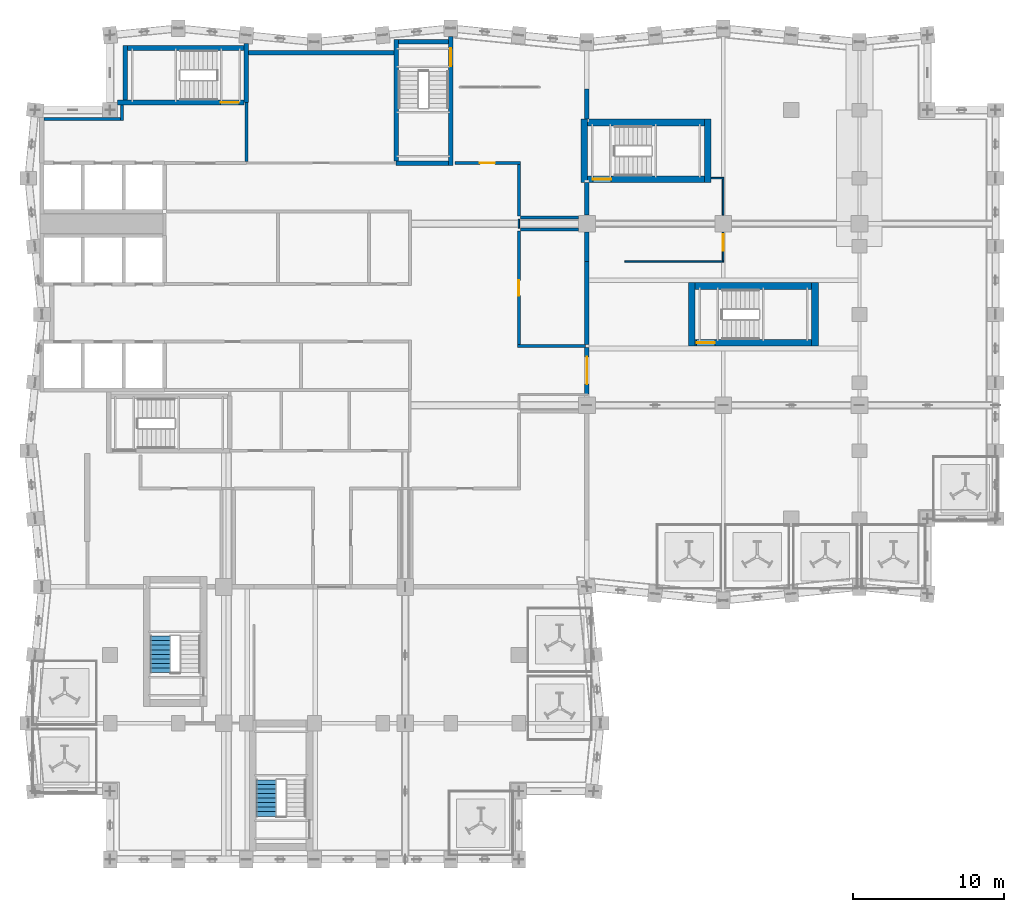
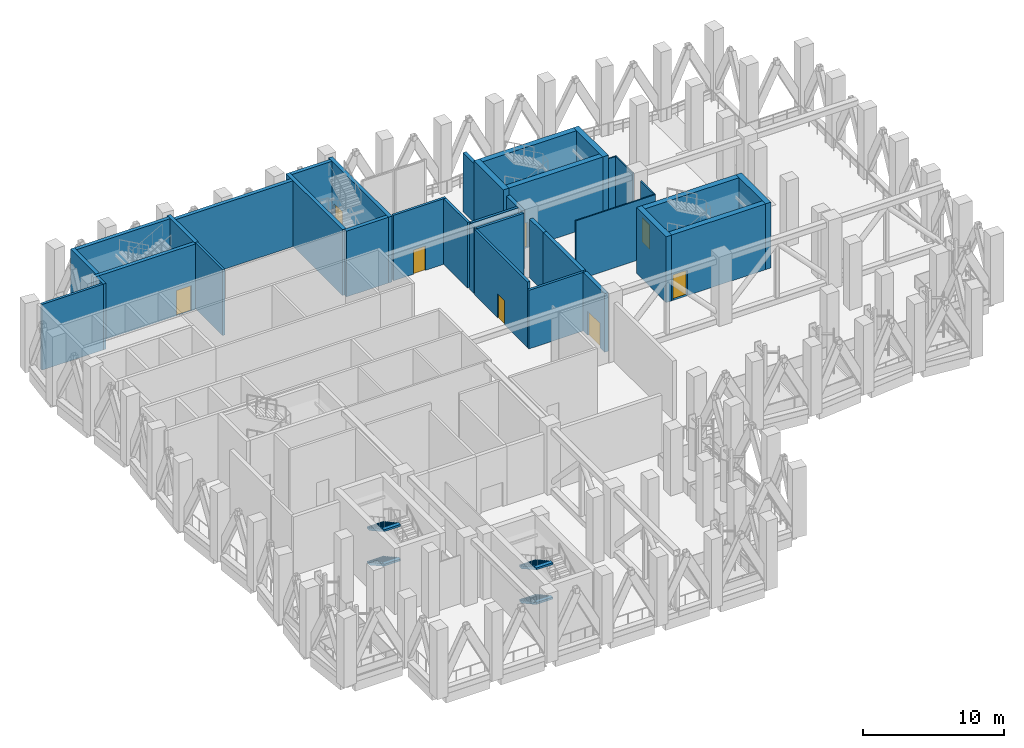
# One storey, part 17 of 28: 36 walls, 8 doors, 4 stair flights, 8 openings, 2 elements without a shape of their own.
"""IFC4 building model written with IfcOpenShell, lengths in metres."""

from ifc_helpers import new_model, si_unit, direction, frame, frame_2d, origin, place, context, subcontext, project, spatial, polyline, rectangle, outline, extrude, material, layer, layer_set, type_object, element, fill, aggregate, save


model = new_model("IFC4")

# Units and contexts
model_context = context("Model", 3, precision=1e-05, world=origin(), true_north=direction((0.0, 1.0)))
body_context = subcontext(model_context, "Body", "Model", "MODEL_VIEW")
ifc_project = project(units=[si_unit("LENGTHUNIT", "METRE"), si_unit("AREAUNIT", "SQUARE_METRE"), si_unit("VOLUMEUNIT", "CUBIC_METRE"), si_unit("PLANEANGLEUNIT", "RADIAN"), si_unit("MASSUNIT", "GRAM", prefix="KILO")], contexts=[model_context])

# Site, building, storey
site_placement = place(None, origin())
site = spatial("IfcSite", under=ifc_project, at=site_placement, CompositionType="ELEMENT")
building_placement = place(site_placement, origin())
building = spatial("IfcBuilding", under=site, at=building_placement, Name="Brondeck Convention Tower", CompositionType="ELEMENT")
storey_placement = place(building_placement, frame((0.0, 0.0, 192.800048828125)))
storey = spatial("IfcBuildingStorey", under=building, at=storey_placement, Name="L47", CompositionType="ELEMENT", Elevation=192.800048828125)

# Wall, opening, door
ifc_material_1 = material(Name="Concrete compartment wall C30/37", Category="concrete")
ifc_layer_1 = layer(ifc_material_1, 0.300048828125)
ifc_layer_set_1 = layer_set([ifc_layer_1], Name="Compartment wall 300")
wall_type_1 = type_object("IfcWallType", Name="Compartment wall 300", PredefinedType="PARTITIONING", material=ifc_layer_set_1)
wall_1_placement = place(storey_placement, frame((36.0, 42.800048828125, 0.0), z_axis=(0.0, 0.0, 1.0), x_axis=(0.0, -1.0, 0.0)))
wall_1 = element("IfcWall", 1, at=wall_1_placement, inside=storey, type_object=wall_type_1, Name="FLR-L47-W033", PredefinedType="PARTITIONING", context=body_context, shape_type="SweptSolid", body=[
    extrude(rectangle(XDim=3.050048828125, YDim=0.300048828125, at=frame_2d((1.52490234375, 0.0))), origin(), (0.0, 0.0, 1.0), 5.079833984375),
])
opening_1_placement = place(wall_1_placement, frame((0.60009765625, 0.0, 0.0)))
opening_1 = element("IfcOpeningElement", 2, at=opening_1_placement, cuts=wall_1, Name="Opening BD-3-008", PredefinedType="OPENING", context=body_context, shape_type="SweptSolid", body=[
    extrude(rectangle(XDim=1.800048828125, YDim=2.10009765625, at=frame_2d((0.89990234375, 1.050048828125))), frame((0.0, 0.159912109375, 0.0), z_axis=(0.0, -1.0, 0.0), x_axis=(1.0, 0.0, 0.0)), (0.0, 0.0, 1.0), 0.320068359375),
])
ifc_material_2 = material(Name="Steel fire door pair", Category="steel")
door_type_1 = type_object("IfcDoorType", Name="Fire door pair 1800", OperationType="DOUBLE_DOOR_SINGLE_SWING", PredefinedType="DOOR", material=ifc_material_2)
door_1_placement = place(opening_1_placement, origin())
door_1 = element("IfcDoor", 3, at=door_1_placement, inside=storey, type_object=door_type_1, Name="Door BD-3-008", OperationType="DOUBLE_DOOR_SINGLE_SWING", OverallHeight=2.10009765625, OverallWidth=1.800048828125, PredefinedType="DOOR", context=body_context, shape_type="SweptSolid", body=[
    extrude(rectangle(XDim=1.800048828125, YDim=2.10009765625, at=frame_2d((0.89990234375, 1.050048828125))), frame((0.0, 0.02490234375, 0.0), z_axis=(0.0, -1.0, 0.0), x_axis=(1.0, 0.0, 0.0)), (0.0, 0.0, 1.0), 0.050048828125),
])
fill(opening_1, door_1)

# Walls
wall_2_placement = place(storey_placement, frame((36.0, 48.5, 0.0), z_axis=(0.0, 0.0, 1.0), x_axis=(0.0, -1.0, 0.0)))
element("IfcWall", 4, at=wall_2_placement, inside=storey, type_object=wall_type_1, Name="FLR-L47-W035", PredefinedType="PARTITIONING", context=body_context, shape_type="SweptSolid", body=[
    extrude(rectangle(XDim=5.5, YDim=0.300048828125, at=frame_2d((2.75, 0.0))), origin(), (0.0, 0.0, 1.0), 5.079833984375),
])
wall_3_placement = place(storey_placement, frame((36.0, 48.5, 0.0), z_axis=(0.0, 0.0, 1.0), x_axis=(0.0, 1.0, 0.0)))
element("IfcWall", 5, at=wall_3_placement, inside=storey, type_object=wall_type_1, Name="FLR-L47-W036", PredefinedType="PARTITIONING", context=body_context, shape_type="SweptSolid", body=[
    extrude(rectangle(XDim=1.945068359375, YDim=0.300048828125, at=frame_2d((0.97265625, 0.0))), origin(), (0.0, 0.0, 1.0), 5.079833984375),
])
wall_4_placement = place(storey_placement, frame((36.0, 51.554931640625, 0.0), z_axis=(0.0, 0.0, 1.0), x_axis=(0.0, 1.0, 0.0)))
element("IfcWall", 6, at=wall_4_placement, inside=storey, type_object=wall_type_1, Name="FLR-L47-W043", PredefinedType="PARTITIONING", context=body_context, shape_type="SweptSolid", body=[
    extrude(rectangle(XDim=2.14501953125, YDim=0.300048828125, at=frame_2d((1.072509765625, 0.0))), origin(), (0.0, 0.0, 1.0), 5.079833984375),
])
wall_5_placement = place(storey_placement, frame((36.0, 59.89990234375, 0.0), z_axis=(0.0, 0.0, 1.0), x_axis=(0.0, -1.0, 0.0)))
element("IfcWall", 7, at=wall_5_placement, inside=storey, type_object=wall_type_1, Name="FLR-L47-W048", PredefinedType="PARTITIONING", context=body_context, shape_type="SweptSolid", body=[
    extrude(rectangle(XDim=2.0, YDim=0.300048828125, at=frame_2d((1.0, 0.0))), origin(), (0.0, 0.0, 1.0), 5.079833984375),
])
ifc_material_3 = material(Name="Concrete C70/85", Category="concrete")
ifc_layer_2 = layer(ifc_material_3, 0.300048828125)
ifc_layer_set_2 = layer_set([ifc_layer_2], Name="Core outer wall 300 Concrete C70/85")
wall_type_2 = type_object("IfcWallType", Name="Core outer wall 300 Concrete C70/85", PredefinedType="SHEAR", material=ifc_layer_set_2)
wall_6_placement = place(storey_placement, frame((13.64990234375, 62.300048828125, 0.0), z_axis=(0.0, 0.0, 1.0), x_axis=(1.0, 0.0, 0.0)))
element("IfcWall", 8, at=wall_6_placement, inside=storey, type_object=wall_type_2, Name="L47 core wall", PredefinedType="SHEAR", context=body_context, shape_type="SweptSolid", body=[
    extrude(rectangle(XDim=9.60009765625, YDim=0.300048828125, at=frame_2d((4.800048828125, 0.0))), origin(), (0.0, 0.0, 1.0), 5.699951171875),
])
ifc_material_4 = material(Name="Fire-rated gypsum board partition")
ifc_layer_3 = layer(ifc_material_4, 0.199951171875)
ifc_layer_set_3 = layer_set([ifc_layer_3], Name="Firefighting lobby wall 200 EI 120")
wall_type_3 = type_object("IfcWallType", Name="Firefighting lobby wall 200 EI 120", PredefinedType="PARTITIONING", material=ifc_layer_set_3)
wall_7_placement = place(storey_placement, frame((0.14990234375, 57.89990234375, 0.0), z_axis=(0.0, 0.0, 1.0), x_axis=(1.0, 0.0, 0.0)))
element("IfcWall", 9, at=wall_7_placement, inside=storey, type_object=wall_type_3, Name="L47 core wall", PredefinedType="PARTITIONING", context=body_context, shape_type="SweptSolid", body=[
    extrude(rectangle(XDim=5.050048828125, YDim=0.199951171875, at=frame_2d((2.52490234375, 0.0))), origin(), (0.0, 0.0, 1.0), 5.699951171875),
])
wall_8_placement = place(storey_placement, frame((5.300048828125, 57.800048828125, 0.0), z_axis=(0.0, 0.0, 1.0), x_axis=(0.0, 1.0, 0.0)))
element("IfcWall", 10, at=wall_8_placement, inside=storey, type_object=wall_type_3, Name="L47 core wall", PredefinedType="PARTITIONING", context=body_context, shape_type="SweptSolid", body=[
    extrude(rectangle(XDim=1.050048828125, YDim=0.199951171875, at=frame_2d((0.52490234375, 0.0))), origin(), (0.0, 0.0, 1.0), 5.699951171875),
])
wall_9_placement = place(storey_placement, frame((13.5, 55.10009765625, 0.0), z_axis=(0.0, 0.0, 1.0), x_axis=(0.0, 1.0, 0.0)))
element("IfcWall", 11, at=wall_9_placement, inside=storey, type_object=wall_type_3, Name="L47 core wall", PredefinedType="PARTITIONING", context=body_context, shape_type="SweptSolid", body=[
    extrude(rectangle(XDim=3.89990234375, YDim=0.199951171875, at=frame_2d((1.949951171875, 0.0))), origin(), (0.0, 0.0, 1.0), 5.699951171875),
])
ifc_material_5 = material(Name="Concrete block wall C16/20", Category="concrete")
ifc_layer_4 = layer(ifc_material_5, 0.199951171875)
ifc_layer_set_4 = layer_set([ifc_layer_4], Name="Plant room wall 200")
wall_type_4 = type_object("IfcWallType", Name="Plant room wall 200", PredefinedType="PARTITIONING", material=ifc_layer_set_4)
wall_10_placement = place(storey_placement, frame((31.39990234375, 42.89990234375, 0.0), z_axis=(0.0, 0.0, 1.0), x_axis=(1.0, 0.0, 0.0)))
element("IfcWall", 12, at=wall_10_placement, inside=storey, type_object=wall_type_4, Name="FLR-L47-W034", PredefinedType="PARTITIONING", context=body_context, shape_type="SweptSolid", body=[
    extrude(rectangle(XDim=4.5, YDim=0.199951171875, at=frame_2d((2.25, 0.0))), origin(), (0.0, 0.0, 1.0), 5.079833984375),
])

# Wall, opening, door
wall_11_placement = place(storey_placement, frame((31.5, 50.5, 0.0), z_axis=(0.0, 0.0, 1.0), x_axis=(0.0, -1.0, 0.0)))
wall_11 = element("IfcWall", 13, at=wall_11_placement, inside=storey, type_object=wall_type_4, Name="FLR-L47-W039", PredefinedType="PARTITIONING", context=body_context, shape_type="SweptSolid", body=[
    extrude(rectangle(XDim=7.5, YDim=0.199951171875, at=frame_2d((3.75, 0.0))), origin(), (0.0, 0.0, 1.0), 5.679931640625),
])
opening_2_placement = place(wall_11_placement, frame((3.25, 0.0, 0.0)))
opening_2 = element("IfcOpeningElement", 14, at=opening_2_placement, cuts=wall_11, Name="Opening BD-3-007", PredefinedType="OPENING", context=body_context, shape_type="SweptSolid", body=[
    extrude(rectangle(XDim=1.0, YDim=2.10009765625, at=frame_2d((0.5, 1.050048828125))), frame((0.0, 0.10986328125, 0.0), z_axis=(0.0, -1.0, 0.0), x_axis=(1.0, 0.0, 0.0)), (0.0, 0.0, 1.0), 0.219970703125),
])
ifc_material_6 = material(Name="Steel fire door leaf", Category="steel")
door_type_2 = type_object("IfcDoorType", Name="Plant room door 1000", OperationType="NOTDEFINED", PredefinedType="DOOR", material=ifc_material_6)
door_2_placement = place(opening_2_placement, origin())
door_2 = element("IfcDoor", 15, at=door_2_placement, inside=storey, type_object=door_type_2, Name="Door BD-3-007", OperationType="SINGLE_SWING_LEFT", OverallHeight=2.10009765625, OverallWidth=1.0, PredefinedType="DOOR", context=body_context, shape_type="SweptSolid", body=[
    extrude(rectangle(XDim=1.0, YDim=2.10009765625, at=frame_2d((0.5, 1.050048828125))), frame((0.0, 0.02490234375, 0.0), z_axis=(0.0, -1.0, 0.0), x_axis=(1.0, 0.0, 0.0)), (0.0, 0.0, 1.0), 0.050048828125),
])
fill(opening_2, door_2)

# Walls
for number, where, z_axis, x_axis, name in (
    (16, (31.60009765625, 50.60009765625, 0.0), (0.0, 0.0, 1.0), (1.0, 0.0, 0.0), "FLR-L47-W040"),
    (17, (35.445068359375, 51.39990234375, 0.0), (0.0, 0.0, 1.0), (-1.0, 0.0, 0.0), "FLR-L47-W042"),
):
    element("IfcWall", number, at=place(storey_placement, frame(where, z_axis=z_axis, x_axis=x_axis)), inside=storey, type_object=wall_type_4, Name=name, PredefinedType="PARTITIONING", context=body_context, shape_type="SweptSolid", body=[
        extrude(rectangle(XDim=3.844970703125, YDim=0.199951171875, at=frame_2d((1.92236328125, 0.0))), origin(), (0.0, 0.0, 1.0), 5.679931640625),
    ])
wall_12_placement = place(storey_placement, frame((31.5, 54.89990234375, 0.0), z_axis=(0.0, 0.0, 1.0), x_axis=(0.0, -1.0, 0.0)))
element("IfcWall", 18, at=wall_12_placement, inside=storey, type_object=wall_type_4, Name="FLR-L47-W046", PredefinedType="PARTITIONING", context=body_context, shape_type="SweptSolid", body=[
    extrude(rectangle(XDim=3.39990234375, YDim=0.199951171875, at=frame_2d((1.699951171875, 0.0))), origin(), (0.0, 0.0, 1.0), 5.679931640625),
])

# Wall, opening, door
wall_13_placement = place(storey_placement, frame((27.300048828125, 55.0, 0.0), z_axis=(0.0, 0.0, 1.0), x_axis=(1.0, 0.0, 0.0)))
wall_13 = element("IfcWall", 19, at=wall_13_placement, inside=storey, type_object=wall_type_4, Name="FLR-L47-W047", PredefinedType="PARTITIONING", context=body_context, shape_type="SweptSolid", body=[
    extrude(rectangle(XDim=4.300048828125, YDim=0.199951171875, at=frame_2d((2.14990234375, 0.0))), origin(), (0.0, 0.0, 1.0), 5.679931640625),
])
opening_3_placement = place(wall_13_placement, frame((1.625, 0.0, 0.0)))
opening_3 = element("IfcOpeningElement", 20, at=opening_3_placement, cuts=wall_13, Name="Opening BD-3-006", PredefinedType="OPENING", context=body_context, shape_type="SweptSolid", body=[
    extrude(rectangle(XDim=1.0, YDim=2.10009765625, at=frame_2d((0.5, 1.050048828125))), frame((0.0, 0.10986328125, 0.0), z_axis=(0.0, -1.0, 0.0), x_axis=(1.0, 0.0, 0.0)), (0.0, 0.0, 1.0), 0.219970703125),
])
door_3_placement = place(opening_3_placement, origin())
door_3 = element("IfcDoor", 21, at=door_3_placement, inside=storey, type_object=door_type_2, Name="Door BD-3-006", OperationType="SINGLE_SWING_LEFT", OverallHeight=2.10009765625, OverallWidth=1.0, PredefinedType="DOOR", context=body_context, shape_type="SweptSolid", body=[
    extrude(rectangle(XDim=1.0, YDim=2.10009765625, at=frame_2d((0.5, 1.050048828125))), frame((0.0, 0.02490234375, 0.0), z_axis=(0.0, -1.0, 0.0), x_axis=(1.0, 0.0, 0.0)), (0.0, 0.0, 1.0), 0.050048828125),
])
fill(opening_3, door_3)

# Wall
ifc_material_7 = material(Name="Gypsum board partition on steel studs", Category="steel")
ifc_layer_5 = layer(ifc_material_7, 0.10009765625)
ifc_layer_set_5 = layer_set([ifc_layer_5], Name="Room partition 100")
wall_type_5 = type_object("IfcWallType", Name="Room partition 100", PredefinedType="PARTITIONING", material=ifc_layer_set_5)
wall_14_placement = place(storey_placement, frame((45.050048828125, 48.5, 0.0), z_axis=(0.0, 0.0, 1.0), x_axis=(-1.0, 0.0, 0.0)))
element("IfcWall", 22, at=wall_14_placement, inside=storey, type_object=wall_type_5, Name="FLR-L47-W037", PredefinedType="PARTITIONING", context=body_context, shape_type="SweptSolid", body=[
    extrude(rectangle(XDim=6.550048828125, YDim=0.10009765625, at=frame_2d((3.27490234375, 0.0))), origin(), (0.0, 0.0, 1.0), 5.179931640625),
])

# Wall, opening, door
wall_15_placement = place(storey_placement, frame((45.0, 50.445068359375, 0.0), z_axis=(0.0, 0.0, 1.0), x_axis=(0.0, -1.0, 0.0)))
wall_15 = element("IfcWall", 23, at=wall_15_placement, inside=storey, type_object=wall_type_5, Name="FLR-L47-W038", PredefinedType="PARTITIONING", context=body_context, shape_type="SweptSolid", body=[
    extrude(rectangle(XDim=1.89501953125, YDim=0.10009765625, at=frame_2d((0.947509765625, 0.0))), origin(), (0.0, 0.0, 1.0), 5.179931640625),
])
opening_4_placement = place(wall_15_placement, frame((0.14990234375, 0.0, 0.0)))
opening_4 = element("IfcOpeningElement", 24, at=opening_4_placement, cuts=wall_15, Name="Opening BD-3-001", PredefinedType="OPENING", context=body_context, shape_type="SweptSolid", body=[
    extrude(rectangle(XDim=1.10009765625, YDim=2.10009765625, at=frame_2d((0.550048828125, 1.050048828125))), frame((0.0, 0.06005859375, 0.0), z_axis=(0.0, -1.0, 0.0), x_axis=(1.0, 0.0, 0.0)), (0.0, 0.0, 1.0), 0.1201171875),
])
door_type_3 = type_object("IfcDoorType", Name="Refuge door 1100", OperationType="NOTDEFINED", PredefinedType="DOOR", material=ifc_material_6)
door_4_placement = place(opening_4_placement, origin())
door_4 = element("IfcDoor", 25, at=door_4_placement, inside=storey, type_object=door_type_3, Name="Door BD-3-001", OperationType="SINGLE_SWING_RIGHT", OverallHeight=2.10009765625, OverallWidth=1.10009765625, PredefinedType="DOOR", context=body_context, shape_type="SweptSolid", body=[
    extrude(rectangle(XDim=1.10009765625, YDim=2.10009765625, at=frame_2d((0.550048828125, 1.050048828125))), frame((0.0, 0.02490234375, 0.0), z_axis=(0.0, -1.0, 0.0), x_axis=(1.0, 0.0, 0.0)), (0.0, 0.0, 1.0), 0.050048828125),
])
fill(opening_4, door_4)

# Walls
wall_16_placement = place(storey_placement, frame((31.5, 51.300048828125, 0.0), z_axis=(0.0, 0.0, 1.0), x_axis=(0.0, -1.0, 0.0)))
element("IfcWall", 26, at=wall_16_placement, inside=storey, type_object=wall_type_5, Name="FLR-L47-W041", PredefinedType="PARTITIONING", context=body_context, shape_type="SweptSolid", body=[
    extrude(rectangle(XDim=0.60009765625, YDim=0.10009765625, at=frame_2d((0.300048828125, 0.0))), origin(), (0.0, 0.0, 1.0), 5.679931640625),
])
wall_17_placement = place(storey_placement, frame((45.0, 53.949951171875, 0.0), z_axis=(0.0, 0.0, 1.0), x_axis=(0.0, -1.0, 0.0)))
element("IfcWall", 27, at=wall_17_placement, inside=storey, type_object=wall_type_5, Name="FLR-L47-W044", PredefinedType="PARTITIONING", context=body_context, shape_type="SweptSolid", body=[
    extrude(rectangle(XDim=2.39501953125, YDim=0.10009765625, at=frame_2d((1.197509765625, 0.0))), origin(), (0.0, 0.0, 1.0), 5.179931640625),
])
wall_18_placement = place(storey_placement, frame((44.199951171875, 54.0, 0.0), z_axis=(0.0, 0.0, 1.0), x_axis=(1.0, 0.0, 0.0)))
element("IfcWall", 28, at=wall_18_placement, inside=storey, type_object=wall_type_5, Name="FLR-L47-W045", PredefinedType="PARTITIONING", context=body_context, shape_type="SweptSolid", body=[
    extrude(rectangle(XDim=0.85009765625, YDim=0.10009765625, at=frame_2d((0.425048828125, 0.0))), origin(), (0.0, 0.0, 1.0), 5.179931640625),
])

# Wall, opening, door
ifc_material_8 = material(Name="Concrete C50/60", Category="concrete")
ifc_layer_6 = layer(ifc_material_8, 0.449951171875)
ifc_layer_set_6 = layer_set([ifc_layer_6], Name="Stair enclosure bearing wall 450 Concrete C50/60")
wall_type_6 = type_object("IfcWallType", Name="Stair enclosure bearing wall 450 Concrete C50/60", PredefinedType="SHEAR", material=ifc_layer_set_6)
wall_19_placement = place(storey_placement, frame((43.14990234375, 43.125, 0.0), z_axis=(0.0, 0.0, 1.0), x_axis=(1.0, 0.0, 0.0)))
wall_19 = element("IfcWall", 29, at=wall_19_placement, inside=storey, type_object=wall_type_6, Name="L47 core wall", PredefinedType="SHEAR", context=body_context, shape_type="SweptSolid", body=[
    extrude(rectangle(XDim=7.7001953125, YDim=0.449951171875, at=frame_2d((3.85009765625, 0.0))), origin(), (0.0, 0.0, 1.0), 5.699951171875),
])
opening_5_placement = place(wall_19_placement, frame((0.10009765625, 0.0, 0.0)))
opening_5 = element("IfcOpeningElement", 30, at=opening_5_placement, cuts=wall_19, Name="Opening C26-15", PredefinedType="OPENING", context=body_context, shape_type="SweptSolid", body=[
    extrude(rectangle(XDim=1.199951171875, YDim=2.199951171875, at=frame_2d((0.60009765625, 1.10009765625))), frame((0.0, 0.23486328125, 0.0), z_axis=(0.0, -1.0, 0.0), x_axis=(1.0, 0.0, 0.0)), (0.0, 0.0, 1.0), 0.469970703125),
])
ifc_material_9 = material(Name="Steel fire door", Category="steel")
door_type_4 = type_object("IfcDoorType", Name="Stair door 1200x2200 EI 90", OperationType="NOTDEFINED", PredefinedType="DOOR", material=ifc_material_9)
door_5_placement = place(opening_5_placement, origin())
door_5 = element("IfcDoor", 31, at=door_5_placement, inside=storey, type_object=door_type_4, Name="L47 Stair door ST-AF", OperationType="SINGLE_SWING_RIGHT", OverallHeight=2.199951171875, OverallWidth=1.199951171875, PredefinedType="DOOR", context=body_context, shape_type="SweptSolid", body=[
    extrude(rectangle(XDim=1.199951171875, YDim=2.199951171875, at=frame_2d((0.60009765625, 1.10009765625))), frame((0.0, 0.02490234375, 0.0), z_axis=(0.0, -1.0, 0.0), x_axis=(1.0, 0.0, 0.0)), (0.0, 0.0, 1.0), 0.050048828125),
])
fill(opening_5, door_5)

# Wall
wall_20_placement = place(storey_placement, frame((43.14990234375, 46.875, 0.0), z_axis=(0.0, 0.0, 1.0), x_axis=(1.0, 0.0, 0.0)))
element("IfcWall", 32, at=wall_20_placement, inside=storey, type_object=wall_type_6, Name="L47 core wall", PredefinedType="SHEAR", context=body_context, shape_type="SweptSolid", body=[
    extrude(rectangle(XDim=7.7001953125, YDim=0.449951171875, at=frame_2d((3.85009765625, 0.0))), origin(), (0.0, 0.0, 1.0), 5.699951171875),
])

# Wall, opening, door
wall_21_placement = place(storey_placement, frame((36.050048828125, 53.925048828125, 0.0), z_axis=(0.0, 0.0, 1.0), x_axis=(1.0, 0.0, 0.0)))
wall_21 = element("IfcWall", 33, at=wall_21_placement, inside=storey, type_object=wall_type_6, Name="L47 core wall", PredefinedType="SHEAR", context=body_context, shape_type="SweptSolid", body=[
    extrude(rectangle(XDim=7.699951171875, YDim=0.449951171875, at=frame_2d((3.85009765625, 0.0))), origin(), (0.0, 0.0, 1.0), 5.699951171875),
])
opening_6_placement = place(wall_21_placement, frame((0.35009765625, 0.0, 0.0)))
opening_6 = element("IfcOpeningElement", 34, at=opening_6_placement, cuts=wall_21, Name="Opening C26-14", PredefinedType="OPENING", context=body_context, shape_type="SweptSolid", body=[
    extrude(rectangle(XDim=1.199951171875, YDim=2.199951171875, at=frame_2d((0.60009765625, 1.10009765625))), frame((0.0, 0.23486328125, 0.0), z_axis=(0.0, -1.0, 0.0), x_axis=(1.0, 0.0, 0.0)), (0.0, 0.0, 1.0), 0.469970703125),
])
door_6_placement = place(opening_6_placement, origin())
door_6 = element("IfcDoor", 35, at=door_6_placement, inside=storey, type_object=door_type_4, Name="L47 Stair door ST-AE", OperationType="SINGLE_SWING_LEFT", OverallHeight=2.199951171875, OverallWidth=1.199951171875, PredefinedType="DOOR", context=body_context, shape_type="SweptSolid", body=[
    extrude(rectangle(XDim=1.199951171875, YDim=2.199951171875, at=frame_2d((0.60009765625, 1.10009765625))), frame((0.0, 0.02490234375, 0.0), z_axis=(0.0, -1.0, 0.0), x_axis=(1.0, 0.0, 0.0)), (0.0, 0.0, 1.0), 0.050048828125),
])
fill(opening_6, door_6)

# Walls
wall_22_placement = place(storey_placement, frame((36.050048828125, 57.675048828125, 0.0), z_axis=(0.0, 0.0, 1.0), x_axis=(1.0, 0.0, 0.0)))
element("IfcWall", 36, at=wall_22_placement, inside=storey, type_object=wall_type_6, Name="L47 core wall", PredefinedType="SHEAR", context=body_context, shape_type="SweptSolid", body=[
    extrude(rectangle(XDim=7.699951171875, YDim=0.449951171875, at=frame_2d((3.85009765625, 0.0))), origin(), (0.0, 0.0, 1.0), 5.699951171875),
])
wall_23_placement = place(storey_placement, frame((35.824951171875, 53.699951171875, 0.0), z_axis=(0.0, 0.0, 1.0), x_axis=(0.0, 1.0, 0.0)))
element("IfcWall", 37, at=wall_23_placement, inside=storey, type_object=wall_type_6, Name="L47 core wall", PredefinedType="SHEAR", context=body_context, shape_type="SweptSolid", body=[
    extrude(rectangle(XDim=4.199951171875, YDim=0.449951171875, at=frame_2d((2.10009765625, 0.0))), origin(), (0.0, 0.0, 1.0), 5.699951171875),
])
wall_24_placement = place(storey_placement, frame((42.925048828125, 42.89990234375, 0.0), z_axis=(0.0, 0.0, 1.0), x_axis=(0.0, 1.0, 0.0)))
element("IfcWall", 38, at=wall_24_placement, inside=storey, type_object=wall_type_6, Name="L47 core wall", PredefinedType="SHEAR", context=body_context, shape_type="SweptSolid", body=[
    extrude(rectangle(XDim=4.2001953125, YDim=0.449951171875, at=frame_2d((2.10009765625, 0.0))), origin(), (0.0, 0.0, 1.0), 5.699951171875),
])
wall_25_placement = place(storey_placement, frame((43.97509765625, 53.699951171875, 0.0), z_axis=(0.0, 0.0, 1.0), x_axis=(0.0, 1.0, 0.0)))
element("IfcWall", 39, at=wall_25_placement, inside=storey, type_object=wall_type_6, Name="L47 core wall", PredefinedType="SHEAR", context=body_context, shape_type="SweptSolid", body=[
    extrude(rectangle(XDim=4.199951171875, YDim=0.449951171875, at=frame_2d((2.10009765625, 0.0))), origin(), (0.0, 0.0, 1.0), 5.699951171875),
])
wall_26_placement = place(storey_placement, frame((51.074951171875, 42.89990234375, 0.0), z_axis=(0.0, 0.0, 1.0), x_axis=(0.0, 1.0, 0.0)))
element("IfcWall", 40, at=wall_26_placement, inside=storey, type_object=wall_type_6, Name="L47 core wall", PredefinedType="SHEAR", context=body_context, shape_type="SweptSolid", body=[
    extrude(rectangle(XDim=4.2001953125, YDim=0.449951171875, at=frame_2d((2.10009765625, 0.0))), origin(), (0.0, 0.0, 1.0), 5.699951171875),
])
ifc_layer_7 = layer(ifc_material_3, 0.300048828125)
ifc_layer_set_7 = layer_set([ifc_layer_7], Name="Stair enclosure wall 300 Concrete C70/85")
wall_type_7 = type_object("IfcWallType", Name="Stair enclosure wall 300 Concrete C70/85", PredefinedType="SHEAR", material=ifc_layer_set_7)
wall_27_placement = place(storey_placement, frame((23.39990234375, 55.0, 0.0), z_axis=(0.0, 0.0, 1.0), x_axis=(1.0, 0.0, 0.0)))
element("IfcWall", 41, at=wall_27_placement, inside=storey, type_object=wall_type_7, Name="L47 core wall", PredefinedType="SHEAR", context=body_context, shape_type="SweptSolid", body=[
    extrude(rectangle(XDim=3.4501953125, YDim=0.300048828125, at=frame_2d((1.72509765625, 0.0))), origin(), (0.0, 0.0, 1.0), 5.699951171875),
])

# Wall, opening, door
wall_28_placement = place(storey_placement, frame((5.0, 59.0, 0.0), z_axis=(0.0, 0.0, 1.0), x_axis=(1.0, 0.0, 0.0)))
wall_28 = element("IfcWall", 42, at=wall_28_placement, inside=storey, type_object=wall_type_7, Name="L47 core wall", PredefinedType="SHEAR", context=body_context, shape_type="SweptSolid", body=[
    extrude(rectangle(XDim=8.35009765625, YDim=0.300048828125, at=frame_2d((4.175048828125, 0.0))), origin(), (0.0, 0.0, 1.0), 5.699951171875),
])
opening_7_placement = place(wall_28_placement, frame((6.800048828125, 0.0, 0.0)))
opening_7 = element("IfcOpeningElement", 43, at=opening_7_placement, cuts=wall_28, Name="Opening C26-13", PredefinedType="OPENING", context=body_context, shape_type="SweptSolid", body=[
    extrude(rectangle(XDim=1.199951171875, YDim=2.199951171875, at=frame_2d((0.60009765625, 1.10009765625))), frame((0.0, 0.159912109375, 0.0), z_axis=(0.0, -1.0, 0.0), x_axis=(1.0, 0.0, 0.0)), (0.0, 0.0, 1.0), 0.320068359375),
])
door_type_5 = type_object("IfcDoorType", Name="Stair door 1200x2200 EI 120", OperationType="NOTDEFINED", PredefinedType="DOOR", material=ifc_material_9)
door_7_placement = place(opening_7_placement, origin())
door_7 = element("IfcDoor", 44, at=door_7_placement, inside=storey, type_object=door_type_5, Name="L47 Stair door ST-3", OperationType="SINGLE_SWING_RIGHT", OverallHeight=2.199951171875, OverallWidth=1.199951171875, PredefinedType="DOOR", context=body_context, shape_type="SweptSolid", body=[
    extrude(rectangle(XDim=1.199951171875, YDim=2.199951171875, at=frame_2d((0.60009765625, 1.10009765625))), frame((0.0, 0.02490234375, 0.0), z_axis=(0.0, -1.0, 0.0), x_axis=(1.0, 0.0, 0.0)), (0.0, 0.0, 1.0), 0.050048828125),
])
fill(opening_7, door_7)

# Walls
wall_29_placement = place(storey_placement, frame((5.64990234375, 62.60009765625, 0.0), z_axis=(0.0, 0.0, 1.0), x_axis=(1.0, 0.0, 0.0)))
element("IfcWall", 45, at=wall_29_placement, inside=storey, type_object=wall_type_7, Name="L47 core wall", PredefinedType="SHEAR", context=body_context, shape_type="SweptSolid", body=[
    extrude(rectangle(XDim=7.7001953125, YDim=0.300048828125, at=frame_2d((3.85009765625, 0.0))), origin(), (0.0, 0.0, 1.0), 5.699951171875),
])
wall_30_placement = place(storey_placement, frame((23.550048828125, 63.0, 0.0), z_axis=(0.0, 0.0, 1.0), x_axis=(1.0, 0.0, 0.0)))
element("IfcWall", 46, at=wall_30_placement, inside=storey, type_object=wall_type_7, Name="L47 core wall", PredefinedType="SHEAR", context=body_context, shape_type="SweptSolid", body=[
    extrude(rectangle(XDim=3.300048828125, YDim=0.300048828125, at=frame_2d((1.64990234375, 0.0))), origin(), (0.0, 0.0, 1.0), 5.699951171875),
])
wall_31_placement = place(storey_placement, frame((5.5, 59.14990234375, 0.0), z_axis=(0.0, 0.0, 1.0), x_axis=(0.0, 1.0, 0.0)))
element("IfcWall", 47, at=wall_31_placement, inside=storey, type_object=wall_type_7, Name="L47 core wall", PredefinedType="SHEAR", context=body_context, shape_type="SweptSolid", body=[
    extrude(rectangle(XDim=3.60009765625, YDim=0.300048828125, at=frame_2d((1.800048828125, 0.0))), origin(), (0.0, 0.0, 1.0), 5.699951171875),
])
wall_32_placement = place(storey_placement, frame((13.5, 59.0, 0.0), z_axis=(0.0, 0.0, 1.0), x_axis=(0.0, 1.0, 0.0)))
element("IfcWall", 48, at=wall_32_placement, inside=storey, type_object=wall_type_7, Name="L47 core wall", PredefinedType="SHEAR", context=body_context, shape_type="SweptSolid", body=[
    extrude(rectangle(XDim=3.897216796875, YDim=0.300048828125, at=frame_2d((1.94873046875, 0.0))), origin(), (0.0, 0.0, 1.0), 5.699951171875),
])
wall_33_placement = place(storey_placement, frame((23.39990234375, 55.14990234375, 0.0), z_axis=(0.0, 0.0, 1.0), x_axis=(0.0, 1.0, 0.0)))
element("IfcWall", 49, at=wall_33_placement, inside=storey, type_object=wall_type_7, Name="L47 core wall", PredefinedType="SHEAR", context=body_context, shape_type="SweptSolid", body=[
    extrude(rectangle(XDim=8.0, YDim=0.300048828125, at=frame_2d((4.0, 0.0))), origin(), (0.0, 0.0, 1.0), 5.699951171875),
])

# Wall, opening, door
wall_34_placement = place(storey_placement, frame((27.0, 54.85009765625, 0.0), z_axis=(0.0, 0.0, 1.0), x_axis=(0.0, 1.0, 0.0)))
wall_34 = element("IfcWall", 50, at=wall_34_placement, inside=storey, type_object=wall_type_7, Name="L47 core wall", PredefinedType="SHEAR", context=body_context, shape_type="SweptSolid", body=[
    extrude(rectangle(XDim=8.5, YDim=0.300048828125, at=frame_2d((4.25, 0.0))), origin(), (0.0, 0.0, 1.0), 5.699951171875),
])
opening_8_placement = place(wall_34_placement, frame((6.550048828125, 0.0, 0.0)))
opening_8 = element("IfcOpeningElement", 51, at=opening_8_placement, cuts=wall_34, Name="Opening C26-12", PredefinedType="OPENING", context=body_context, shape_type="SweptSolid", body=[
    extrude(rectangle(XDim=1.199951171875, YDim=2.199951171875, at=frame_2d((0.60009765625, 1.10009765625))), frame((0.0, 0.159912109375, 0.0), z_axis=(0.0, -1.0, 0.0), x_axis=(1.0, 0.0, 0.0)), (0.0, 0.0, 1.0), 0.320068359375),
])
door_8_placement = place(opening_8_placement, origin())
door_8 = element("IfcDoor", 52, at=door_8_placement, inside=storey, type_object=door_type_4, Name="L47 Stair door ST-2", OperationType="SINGLE_SWING_LEFT", OverallHeight=2.199951171875, OverallWidth=1.199951171875, PredefinedType="DOOR", context=body_context, shape_type="SweptSolid", body=[
    extrude(rectangle(XDim=1.199951171875, YDim=2.199951171875, at=frame_2d((0.60009765625, 1.10009765625))), frame((0.0, 0.02490234375, 0.0), z_axis=(0.0, -1.0, 0.0), x_axis=(1.0, 0.0, 0.0)), (0.0, 0.0, 1.0), 0.050048828125),
])
fill(opening_8, door_8)

# Stair, stair flights
ifc_material_10 = material(Name="Precast concrete C50/60", Category="concrete")
stair_type = type_object("IfcStairType", Name="Core stair 36 risers 166.67 mm riser 300 mm going 1350 wide", PredefinedType="HALF_TURN_STAIR", material=ifc_material_10)
stair_1_placement = place(storey_placement, origin())
stair_1 = element("IfcStair", 53, at=stair_1_placement, inside=storey, type_object=stair_type, Name="ST-BE L47 stair", PredefinedType="HALF_TURN_STAIR")
stair_flight_type = type_object("IfcStairFlightType", Name="Core stair flight 36 risers 166.67 mm riser 300 mm going 1350 wide", PredefinedType="STRAIGHT", material=ifc_material_10)
stair_flight_1_placement = place(storey_placement, frame((7.824951171875, 23.75, 1.5), z_axis=(0.0, 0.0, 1.0), x_axis=(0.0, -1.0, 0.0)))
stair_flight_1 = element("IfcStairFlight", 54, at=stair_flight_1_placement, type_object=stair_flight_type, Name="ST-BE flight 2", NumberOfRisers=9, NumberOfTreads=8, PredefinedType="STRAIGHT", RiserHeight=0.166666667, TreadLength=0.3, context=body_context, shape_type="SweptSolid", body=[
    extrude(outline(polyline([(0.0, 0.0), (0.0, 0.166748046875), (0.300048828125, 0.166748046875), (0.300048828125, 0.333251953125), (0.60009765625, 0.333251953125), (0.60009765625, 0.5), (0.89990234375, 0.5), (0.89990234375, 0.666748046875), (1.199951171875, 0.666748046875), (1.199951171875, 0.833251953125), (1.5, 0.833251953125), (1.5, 1.0), (1.800048828125, 1.0), (1.800048828125, 1.166748046875), (2.10009765625, 1.166748046875), (2.10009765625, 1.333251953125), (2.39990234375, 1.333251953125), (2.39990234375, 1.5), (2.39990234375, 1.161865234375), (0.30859375, 0.0), (0.0, 0.0)])), frame((0.0, 0.675048828125, 0.0), z_axis=(0.0, -1.0, 0.0), x_axis=(1.0, 0.0, 0.0)), (0.0, 0.0, 1.0), 1.35009765625),
])
stair_flight_2_placement = place(storey_placement, frame((7.824951171875, 23.75, 4.5), z_axis=(0.0, 0.0, 1.0), x_axis=(0.0, -1.0, 0.0)))
stair_flight_2 = element("IfcStairFlight", 55, at=stair_flight_2_placement, type_object=stair_flight_type, Name="ST-BE flight 4", NumberOfRisers=9, NumberOfTreads=8, PredefinedType="STRAIGHT", RiserHeight=0.166666667, TreadLength=0.3, context=body_context, shape_type="SweptSolid", body=[
    extrude(outline(polyline([(0.0, 0.0), (0.0, 0.166748046875), (0.300048828125, 0.166748046875), (0.300048828125, 0.333251953125), (0.60009765625, 0.333251953125), (0.60009765625, 0.5), (0.89990234375, 0.5), (0.89990234375, 0.666748046875), (1.199951171875, 0.666748046875), (1.199951171875, 0.833251953125), (1.5, 0.833251953125), (1.5, 1.0), (1.800048828125, 1.0), (1.800048828125, 1.166748046875), (2.10009765625, 1.166748046875), (2.10009765625, 1.333251953125), (2.39990234375, 1.333251953125), (2.39990234375, 1.5), (2.39990234375, 1.161865234375), (0.30859375, 0.0), (0.0, 0.0)])), frame((0.0, 0.675048828125, 0.0), z_axis=(0.0, -1.0, 0.0), x_axis=(1.0, 0.0, 0.0)), (0.0, 0.0, 1.0), 1.35009765625),
])
aggregate(stair_1, [stair_flight_1, stair_flight_2])

stair_2_placement = place(storey_placement, origin())
stair_2 = element("IfcStair", 56, at=stair_2_placement, inside=storey, type_object=stair_type, Name="ST-BF L47 stair", PredefinedType="HALF_TURN_STAIR")
stair_flight_3_placement = place(storey_placement, frame((14.824951171875, 14.25, 1.5), z_axis=(0.0, 0.0, 1.0), x_axis=(0.0, -1.0, 0.0)))
stair_flight_3 = element("IfcStairFlight", 57, at=stair_flight_3_placement, type_object=stair_flight_type, Name="ST-BF flight 2", NumberOfRisers=9, NumberOfTreads=8, PredefinedType="STRAIGHT", RiserHeight=0.166666667, TreadLength=0.3, context=body_context, shape_type="SweptSolid", body=[
    extrude(outline(polyline([(0.0, 0.0), (0.0, 0.166748046875), (0.300048828125, 0.166748046875), (0.300048828125, 0.333251953125), (0.60009765625, 0.333251953125), (0.60009765625, 0.5), (0.89990234375, 0.5), (0.89990234375, 0.666748046875), (1.199951171875, 0.666748046875), (1.199951171875, 0.833251953125), (1.5, 0.833251953125), (1.5, 1.0), (1.800048828125, 1.0), (1.800048828125, 1.166748046875), (2.10009765625, 1.166748046875), (2.10009765625, 1.333251953125), (2.39990234375, 1.333251953125), (2.39990234375, 1.5), (2.39990234375, 1.161865234375), (0.30859375, 0.0), (0.0, 0.0)])), frame((0.0, 0.675048828125, 0.0), z_axis=(0.0, -1.0, 0.0), x_axis=(1.0, 0.0, 0.0)), (0.0, 0.0, 1.0), 1.35009765625),
])
stair_flight_4_placement = place(storey_placement, frame((14.824951171875, 14.25, 4.5), z_axis=(0.0, 0.0, 1.0), x_axis=(0.0, -1.0, 0.0)))
stair_flight_4 = element("IfcStairFlight", 58, at=stair_flight_4_placement, type_object=stair_flight_type, Name="ST-BF flight 4", NumberOfRisers=9, NumberOfTreads=8, PredefinedType="STRAIGHT", RiserHeight=0.166666667, TreadLength=0.3, context=body_context, shape_type="SweptSolid", body=[
    extrude(outline(polyline([(0.0, 0.0), (0.0, 0.166748046875), (0.300048828125, 0.166748046875), (0.300048828125, 0.333251953125), (0.60009765625, 0.333251953125), (0.60009765625, 0.5), (0.89990234375, 0.5), (0.89990234375, 0.666748046875), (1.199951171875, 0.666748046875), (1.199951171875, 0.833251953125), (1.5, 0.833251953125), (1.5, 1.0), (1.800048828125, 1.0), (1.800048828125, 1.166748046875), (2.10009765625, 1.166748046875), (2.10009765625, 1.333251953125), (2.39990234375, 1.333251953125), (2.39990234375, 1.5), (2.39990234375, 1.161865234375), (0.30859375, 0.0), (0.0, 0.0)])), frame((0.0, 0.675048828125, 0.0), z_axis=(0.0, -1.0, 0.0), x_axis=(1.0, 0.0, 0.0)), (0.0, 0.0, 1.0), 1.35009765625),
])
aggregate(stair_2, [stair_flight_3, stair_flight_4])

save(model, "model.ifc")
